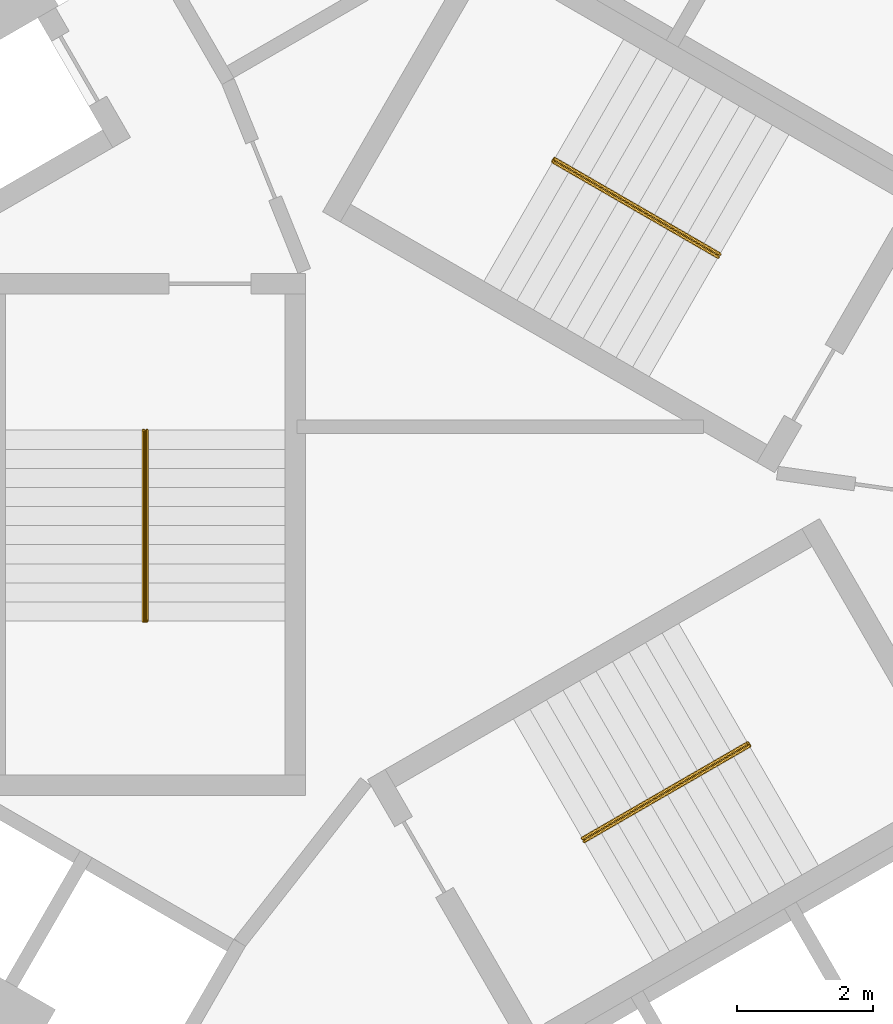
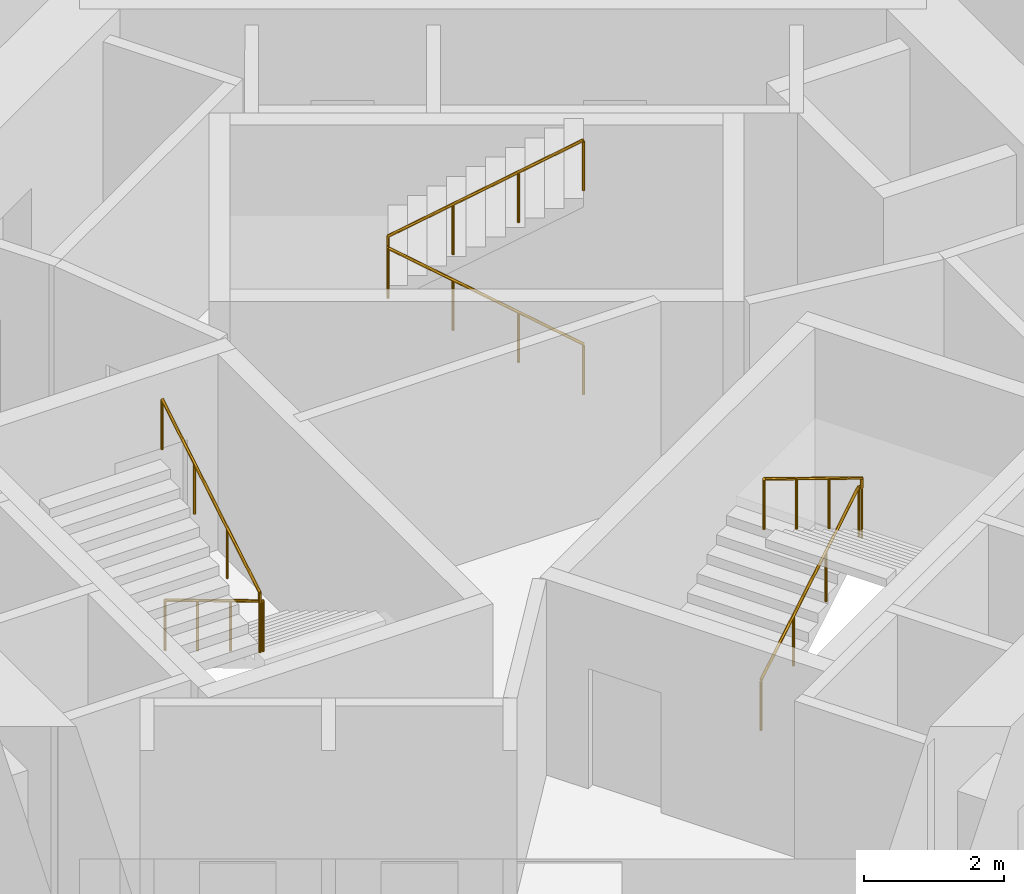
# One storey, part 11 of 11: 3 railings.
"""IFC4 building model written with IfcOpenShell, lengths in metres."""

from ifc_helpers import new_model, si_unit, direction, frame, origin, origin_2d, place, context, subcontext, project, spatial, circle, extrude, material, type_object, element, save


model = new_model("IFC4")

# Units and contexts
model_context = context("Model", 3, precision=1e-05, world=origin(), true_north=direction((0.0, 1.0)))
body_context = subcontext(model_context, "Body", "Model", "MODEL_VIEW")
ifc_project = project(units=[si_unit("LENGTHUNIT", "METRE"), si_unit("AREAUNIT", "SQUARE_METRE"), si_unit("VOLUMEUNIT", "CUBIC_METRE"), si_unit("PLANEANGLEUNIT", "RADIAN"), si_unit("MASSUNIT", "GRAM", prefix="KILO")], contexts=[model_context])

# Site, building, storey
site_placement = place(None, origin())
site = spatial("IfcSite", under=ifc_project, at=site_placement, CompositionType="ELEMENT")
building_placement = place(site_placement, origin())
building = spatial("IfcBuilding", under=site, at=building_placement, Name="Vanh Sen Convention Tower", CompositionType="ELEMENT")
storey_placement = place(building_placement, frame((0.0, 0.0, 168.800048828125)))
storey = spatial("IfcBuildingStorey", under=building, at=storey_placement, Name="L41", CompositionType="ELEMENT", Elevation=168.800048828125)

# Railings
ifc_material = material(Name="Stainless steel handrail", Category="steel")
railing_type = type_object("IfcRailingType", Name="Stair handrail 900", PredefinedType="HANDRAIL", material=ifc_material)
railing_1_placement = place(storey_placement, frame((3.45849609375, 3.690185546875, 0.168212890625)))
element("IfcRailing", 1, at=railing_1_placement, inside=storey, type_object=railing_type, Name="Stair handrail ST1 L41", PredefinedType="HANDRAIL", context=body_context, shape_type="SweptSolid", body=[
    extrude(circle(Radius=0.02392578125, at=origin_2d()), frame((0.0, 0.0, 0.8759765625), z_axis=(-0.74241905619, 0.428617687091, 0.514879426), x_axis=(-0.49998411664, -0.866034573852, 0.0)), (0.0, 0.0, 1.0), 3.26611328125),
    extrude(circle(Radius=0.02392578125, at=origin_2d()), frame((-2.4248046875, 1.39990234375, 2.5576171875), z_axis=(0.497188445666, 0.867642581652, 0.0), x_axis=(-0.867642581652, 0.497188445666, 0.0)), (0.0, 0.0, 1.0), 0.050048828125),
    extrude(circle(Radius=0.02392578125, at=origin_2d()), frame((-2.39990234375, 1.443359375, 2.5576171875), z_axis=(0.0, 0.0, 1.0), x_axis=(1.0, 0.0, 0.0)), (0.0, 0.0, 1.0), 0.168212890625),
    extrude(circle(Radius=0.02392578125, at=origin_2d()), frame((-2.39990234375, 1.443359375, 2.7255859375), z_axis=(0.742366697286, -0.42866220388, 0.514917859203), x_axis=(0.500049511043, 0.865996816683, 0.0)), (0.0, 0.0, 1.0), 3.266357421875),
    extrude(circle(Radius=0.02099609375, at=origin_2d()), origin(), (0.0, 0.0, 1.0), 0.851806640625),
    extrude(circle(Radius=0.02099609375, at=origin_2d()), frame((-0.808349609375, 0.466552734375, 0.560546875)), (0.0, 0.0, 1.0), 0.851806640625),
    extrude(circle(Radius=0.02099609375, at=origin_2d()), frame((-1.616455078125, 0.933349609375, 1.12109375)), (0.0, 0.0, 1.0), 0.851806640625),
    extrude(circle(Radius=0.02099609375, at=origin_2d()), frame((-2.4248046875, 1.39990234375, 1.681640625)), (0.0, 0.0, 1.0), 0.851806640625),
    extrude(circle(Radius=0.02099609375, at=origin_2d()), frame((-2.39990234375, 1.443359375, 1.681640625)), (0.0, 0.0, 1.0), 0.851806640625),
    extrude(circle(Radius=0.02099609375, at=origin_2d()), frame((-2.39990234375, 1.443359375, 1.849853515625)), (0.0, 0.0, 1.0), 0.851806640625),
    extrude(circle(Radius=0.02099609375, at=origin_2d()), frame((-1.591552734375, 0.9765625, 2.410400390625)), (0.0, 0.0, 1.0), 0.851806640625),
    extrude(circle(Radius=0.02099609375, at=origin_2d()), frame((-0.783447265625, 0.510009765625, 2.97119140625)), (0.0, 0.0, 1.0), 0.851806640625),
    extrude(circle(Radius=0.02099609375, at=origin_2d()), frame((0.02490234375, 0.043212890625, 3.53173828125)), (0.0, 0.0, 1.0), 0.851806640625),
])
railing_2_placement = place(storey_placement, frame((-4.925048828125, 1.14990234375, 0.168212890625)))
element("IfcRailing", 2, at=railing_2_placement, inside=storey, type_object=railing_type, Name="Stair handrail ST2 L41", PredefinedType="HANDRAIL", context=body_context, shape_type="SweptSolid", body=[
    extrude(circle(Radius=0.02392578125, at=origin_2d()), frame((0.0, 0.0, 0.8759765625), z_axis=(0.0, -0.857255387014, 0.514891446264), x_axis=(1.0, 0.0, 0.0)), (0.0, 0.0, 1.0), 3.26611328125),
    extrude(circle(Radius=0.02392578125, at=origin_2d()), frame((0.0, -2.7998046875, 2.5576171875), z_axis=(-1.0, 0.0, 0.0), x_axis=(0.0, -1.0, 0.0)), (0.0, 0.0, 1.0), 0.050048828125),
    extrude(circle(Radius=0.02392578125, at=origin_2d()), frame((-0.050048828125, -2.7998046875, 2.5576171875), z_axis=(0.0, 0.0, 1.0), x_axis=(1.0, 0.0, 0.0)), (0.0, 0.0, 1.0), 0.168212890625),
    extrude(circle(Radius=0.02392578125, at=origin_2d()), frame((-0.050048828125, -2.7998046875, 2.7255859375), z_axis=(0.0, 0.857222391501, 0.514946377315), x_axis=(-1.0, 0.0, 0.0)), (0.0, 0.0, 1.0), 3.26611328125),
    extrude(circle(Radius=0.02099609375, at=origin_2d()), origin(), (0.0, 0.0, 1.0), 0.851806640625),
    extrude(circle(Radius=0.02099609375, at=origin_2d()), frame((0.0, -0.933349609375, 0.560546875)), (0.0, 0.0, 1.0), 0.851806640625),
    extrude(circle(Radius=0.02099609375, at=origin_2d()), frame((0.0, -1.866455078125, 1.12109375)), (0.0, 0.0, 1.0), 0.851806640625),
    extrude(circle(Radius=0.02099609375, at=origin_2d()), frame((0.0, -2.7998046875, 1.681640625)), (0.0, 0.0, 1.0), 0.851806640625),
    extrude(circle(Radius=0.02099609375, at=origin_2d()), frame((-0.050048828125, -2.7998046875, 1.681640625)), (0.0, 0.0, 1.0), 0.851806640625),
    extrude(circle(Radius=0.02099609375, at=origin_2d()), frame((-0.050048828125, -2.7998046875, 1.849853515625)), (0.0, 0.0, 1.0), 0.851806640625),
    extrude(circle(Radius=0.02099609375, at=origin_2d()), frame((-0.050048828125, -1.866455078125, 2.410400390625)), (0.0, 0.0, 1.0), 0.851806640625),
    extrude(circle(Radius=0.02099609375, at=origin_2d()), frame((-0.050048828125, -0.933349609375, 2.97119140625)), (0.0, 0.0, 1.0), 0.851806640625),
    extrude(circle(Radius=0.02099609375, at=origin_2d()), frame((-0.050048828125, 0.0, 3.53173828125)), (0.0, 0.0, 1.0), 0.851806640625),
])
railing_3_placement = place(storey_placement, frame((1.466552734375, -4.840087890625, 0.168212890625)))
element("IfcRailing", 3, at=railing_3_placement, inside=storey, type_object=railing_type, Name="Stair handrail ST3 L41", PredefinedType="HANDRAIL", context=body_context, shape_type="SweptSolid", body=[
    extrude(circle(Radius=0.02392578125, at=origin_2d()), frame((0.0, 0.0, 0.8759765625), z_axis=(0.74241905619, 0.428617687091, 0.514879426), x_axis=(-0.49998411664, 0.866034573852, 0.0)), (0.0, 0.0, 1.0), 3.26611328125),
    extrude(circle(Radius=0.02392578125, at=origin_2d()), frame((2.4248046875, 1.39990234375, 2.5576171875), z_axis=(0.502959906984, -0.86430974307, 0.0), x_axis=(0.86430974307, 0.502959906984, 0.0)), (0.0, 0.0, 1.0), 0.050048828125),
    extrude(circle(Radius=0.02392578125, at=origin_2d()), frame((2.449951171875, 1.356689453125, 2.5576171875), z_axis=(0.0, 0.0, 1.0), x_axis=(1.0, 0.0, 0.0)), (0.0, 0.0, 1.0), 0.168212890625),
    extrude(circle(Radius=0.02392578125, at=origin_2d()), frame((2.449951171875, 1.356689453125, 2.7255859375), z_axis=(-0.742366697286, -0.42866220388, 0.514917859203), x_axis=(0.500049511043, -0.865996816683, 0.0)), (0.0, 0.0, 1.0), 3.266357421875),
    extrude(circle(Radius=0.02099609375, at=origin_2d()), origin(), (0.0, 0.0, 1.0), 0.851806640625),
    extrude(circle(Radius=0.02099609375, at=origin_2d()), frame((0.808349609375, 0.466552734375, 0.560546875)), (0.0, 0.0, 1.0), 0.851806640625),
    extrude(circle(Radius=0.02099609375, at=origin_2d()), frame((1.616455078125, 0.933349609375, 1.12109375)), (0.0, 0.0, 1.0), 0.851806640625),
    extrude(circle(Radius=0.02099609375, at=origin_2d()), frame((2.4248046875, 1.39990234375, 1.681640625)), (0.0, 0.0, 1.0), 0.851806640625),
    extrude(circle(Radius=0.02099609375, at=origin_2d()), frame((2.449951171875, 1.356689453125, 1.681640625)), (0.0, 0.0, 1.0), 0.851806640625),
    extrude(circle(Radius=0.02099609375, at=origin_2d()), frame((2.449951171875, 1.356689453125, 1.849853515625)), (0.0, 0.0, 1.0), 0.851806640625),
    extrude(circle(Radius=0.02099609375, at=origin_2d()), frame((1.6416015625, 0.889892578125, 2.410400390625)), (0.0, 0.0, 1.0), 0.851806640625),
    extrude(circle(Radius=0.02099609375, at=origin_2d()), frame((0.83349609375, 0.42333984375, 2.97119140625)), (0.0, 0.0, 1.0), 0.851806640625),
    extrude(circle(Radius=0.02099609375, at=origin_2d()), frame((0.025146484375, -0.04345703125, 3.53173828125)), (0.0, 0.0, 1.0), 0.851806640625),
])

save(model, "model.ifc")
